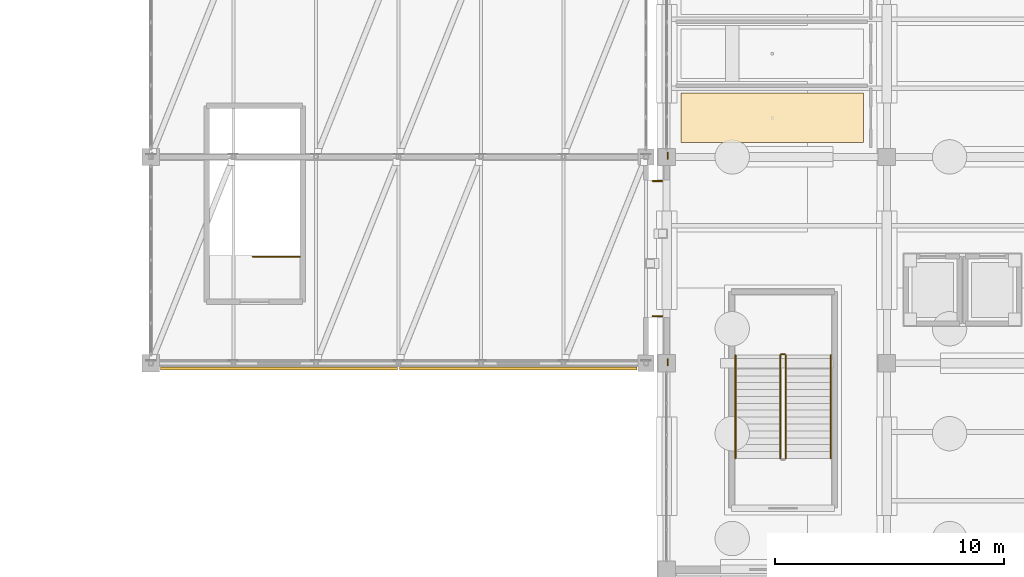
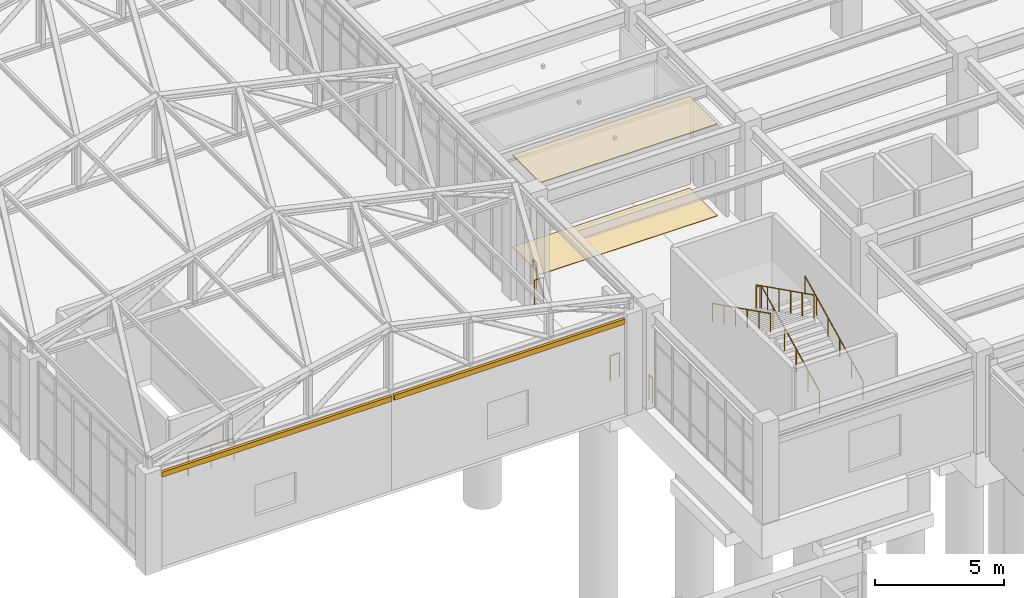
# One storey, part 130 of 139: 10 railings, 4 coverings.
"""IFC4 building model written with IfcOpenShell, lengths in metres."""

from ifc_helpers import new_model, si_unit, direction, frame, origin, origin_2d, place, context, subcontext, project, spatial, polyline, rectangle, circle, outline, extrude, material, layer, layer_set, type_object, element, save


model = new_model("IFC4")

# Units and contexts
model_context = context("Model", 3, precision=1e-05, world=origin(), true_north=direction((0.0, 1.0)))
body_context = subcontext(model_context, "Body", "Model", "MODEL_VIEW")
ifc_project = project(units=[si_unit("LENGTHUNIT", "METRE"), si_unit("AREAUNIT", "SQUARE_METRE"), si_unit("VOLUMEUNIT", "CUBIC_METRE"), si_unit("PLANEANGLEUNIT", "RADIAN"), si_unit("MASSUNIT", "GRAM", prefix="KILO")], contexts=[model_context])

# Site, building, storey
site_placement = place(None, origin())
site = spatial("IfcSite", under=ifc_project, at=site_placement, CompositionType="ELEMENT")
building_placement = place(site_placement, origin())
building = spatial("IfcBuilding", under=site, at=building_placement, Name="Canglan Escarpment Cableway Terminal", CompositionType="ELEMENT")
storey_placement = place(building_placement, frame((0.0, 0.0, 14.39990234375)))
storey = spatial("IfcBuildingStorey", under=building, at=storey_placement, Name="L03", CompositionType="ELEMENT", Elevation=14.39990234375)

# Coverings
ifc_material_1 = material(Name="Micro-perforated acoustic aluminium ceiling", Category="aluminium")
ifc_layer_1 = layer(ifc_material_1, 0.0400390625, Name="Micro-perforated acoustic aluminium ceiling")
ifc_layer_set_1 = layer_set([ifc_layer_1], Name="Micro-perforated acoustic aluminium ceiling")
covering_type_1 = type_object("IfcCoveringType", Name="COV-CEIL-ACOUSTIC-40", PredefinedType="CEILING", material=ifc_layer_set_1)
covering_1_placement = place(storey_placement, frame((0.0, 0.0, 4.340087890625)))
element("IfcCovering", 1, at=covering_1_placement, inside=storey, type_object=covering_type_1, Name="Accessible WC suspended acoustic ceiling", PredefinedType="CEILING", context=body_context, shape_type="SweptSolid", body=[
    extrude(outline(polyline([(138.239990234375, 52.6201171875), (138.238037109375, 52.6201171875), (138.236083984375, 52.620361328125), (138.234130859375, 52.620849609375), (138.232421875, 52.62158203125), (138.230712890625, 52.622314453125), (138.22900390625, 52.623291015625), (138.227294921875, 52.62451171875), (138.225830078125, 52.6259765625), (138.224609375, 52.627197265625), (138.223388671875, 52.62890625), (138.222412109375, 52.630615234375), (138.221435546875, 52.63232421875), (138.220947265625, 52.63427734375), (138.220458984375, 52.635986328125), (138.22021484375, 52.637939453125), (138.219970703125, 52.639892578125), (138.219970703125, 54.760009765625), (138.22021484375, 54.761962890625), (138.220458984375, 54.763916015625), (138.220947265625, 54.765869140625), (138.221435546875, 54.767578125), (138.222412109375, 54.769287109375), (138.223388671875, 54.77099609375), (138.224609375, 54.772705078125), (138.225830078125, 54.774169921875), (138.227294921875, 54.775390625), (138.22900390625, 54.776611328125), (138.230712890625, 54.777587890625), (138.232421875, 54.778564453125), (138.234130859375, 54.779052734375), (138.236083984375, 54.779541015625), (138.238037109375, 54.77978515625), (138.239990234375, 54.780029296875), (146.159912109375, 54.780029296875), (146.162109375, 54.77978515625), (146.163818359375, 54.779541015625), (146.165771484375, 54.779052734375), (146.167724609375, 54.778564453125), (146.16943359375, 54.777587890625), (146.171142578125, 54.776611328125), (146.172607421875, 54.775390625), (146.174072265625, 54.774169921875), (146.175537109375, 54.772705078125), (146.176513671875, 54.77099609375), (146.177490234375, 54.769287109375), (146.178466796875, 54.767578125), (146.17919921875, 54.765869140625), (146.1796875, 54.763916015625), (146.179931640625, 54.761962890625), (146.179931640625, 54.760009765625), (146.179931640625, 52.639892578125), (146.179931640625, 52.637939453125), (146.1796875, 52.635986328125), (146.17919921875, 52.63427734375), (146.178466796875, 52.63232421875), (146.177490234375, 52.630615234375), (146.176513671875, 52.62890625), (146.175537109375, 52.627197265625), (146.174072265625, 52.6259765625), (146.172607421875, 52.62451171875), (146.171142578125, 52.623291015625), (146.16943359375, 52.622314453125), (146.167724609375, 52.62158203125), (146.165771484375, 52.620849609375), (146.163818359375, 52.620361328125), (146.162109375, 52.6201171875), (146.159912109375, 52.6201171875), (138.239990234375, 52.6201171875)])), origin(), (0.0, 0.0, 1.0), 0.0400390625),
])
ifc_material_2 = material(Name="Carved classical limestone cornice", Category="masonry")
ifc_layer_2 = layer(ifc_material_2, 0.1201171875, Name="Carved classical limestone cornice")
ifc_layer_set_2 = layer_set([ifc_layer_2], Name="Carved classical limestone cornice")
covering_type_2 = type_object("IfcCoveringType", Name="COV-CORNICE-STONE", PredefinedType="CLADDING", material=ifc_layer_set_2)
covering_2_placement = place(storey_placement, frame((120.6875, 42.77001953125, 4.34033203125), z_axis=(0.0, 0.0, 1.0), x_axis=(1.0, 0.0, 0.0)))
element("IfcCovering", 2, at=covering_2_placement, inside=storey, type_object=covering_type_2, Name="Classical carved limestone cornice CL-01", PredefinedType="CLADDING", context=body_context, shape_type="SweptSolid", body=[
    extrude(rectangle(XDim=10.324951171875, YDim=0.1201171875, at=origin_2d()), origin(), (0.0, 0.0, 1.0), 0.239990234375),
])
covering_3_placement = place(storey_placement, frame((131.125, 42.77001953125, 4.34033203125), z_axis=(0.0, 0.0, 1.0), x_axis=(1.0, 0.0, 0.0)))
element("IfcCovering", 3, at=covering_3_placement, inside=storey, type_object=covering_type_2, Name="Classical carved limestone cornice CL-01", PredefinedType="CLADDING", context=body_context, shape_type="SweptSolid", body=[
    extrude(rectangle(XDim=10.35009765625, YDim=0.1201171875, at=origin_2d()), origin(), (0.0, 0.0, 1.0), 0.239990234375),
])
ifc_material_3 = material(Name="Polished mineral terrazzo flooring", Category="concrete")
ifc_layer_3 = layer(ifc_material_3, 0.02001953125, Name="Polished mineral terrazzo flooring")
ifc_layer_set_3 = layer_set([ifc_layer_3], Name="Polished mineral terrazzo flooring")
covering_type_3 = type_object("IfcCoveringType", Name="COV-FLR-TERRAZZO-20", PredefinedType="FLOORING", material=ifc_layer_set_3)
covering_4_placement = place(storey_placement, origin())
element("IfcCovering", 4, at=covering_4_placement, inside=storey, type_object=covering_type_3, Name="Accessible WC stone floor finish", PredefinedType="FLOORING", context=body_context, shape_type="SweptSolid", body=[
    extrude(outline(polyline([(138.239990234375, 52.6201171875), (138.238037109375, 52.6201171875), (138.236083984375, 52.620361328125), (138.234130859375, 52.620849609375), (138.232421875, 52.62158203125), (138.230712890625, 52.622314453125), (138.22900390625, 52.623291015625), (138.227294921875, 52.62451171875), (138.225830078125, 52.6259765625), (138.224609375, 52.627197265625), (138.223388671875, 52.62890625), (138.222412109375, 52.630615234375), (138.221435546875, 52.63232421875), (138.220947265625, 52.63427734375), (138.220458984375, 52.635986328125), (138.22021484375, 52.637939453125), (138.219970703125, 52.639892578125), (138.219970703125, 54.760009765625), (138.22021484375, 54.761962890625), (138.220458984375, 54.763916015625), (138.220947265625, 54.765869140625), (138.221435546875, 54.767578125), (138.222412109375, 54.769287109375), (138.223388671875, 54.77099609375), (138.224609375, 54.772705078125), (138.225830078125, 54.774169921875), (138.227294921875, 54.775390625), (138.22900390625, 54.776611328125), (138.230712890625, 54.777587890625), (138.232421875, 54.778564453125), (138.234130859375, 54.779052734375), (138.236083984375, 54.779541015625), (138.238037109375, 54.77978515625), (138.239990234375, 54.780029296875), (146.159912109375, 54.780029296875), (146.162109375, 54.77978515625), (146.163818359375, 54.779541015625), (146.165771484375, 54.779052734375), (146.167724609375, 54.778564453125), (146.16943359375, 54.777587890625), (146.171142578125, 54.776611328125), (146.172607421875, 54.775390625), (146.174072265625, 54.774169921875), (146.175537109375, 54.772705078125), (146.176513671875, 54.77099609375), (146.177490234375, 54.769287109375), (146.178466796875, 54.767578125), (146.17919921875, 54.765869140625), (146.1796875, 54.763916015625), (146.179931640625, 54.761962890625), (146.179931640625, 54.760009765625), (146.179931640625, 52.639892578125), (146.179931640625, 52.637939453125), (146.1796875, 52.635986328125), (146.17919921875, 52.63427734375), (146.178466796875, 52.63232421875), (146.177490234375, 52.630615234375), (146.176513671875, 52.62890625), (146.175537109375, 52.627197265625), (146.174072265625, 52.6259765625), (146.172607421875, 52.62451171875), (146.171142578125, 52.623291015625), (146.16943359375, 52.622314453125), (146.167724609375, 52.62158203125), (146.165771484375, 52.620849609375), (146.163818359375, 52.620361328125), (146.162109375, 52.6201171875), (146.159912109375, 52.6201171875), (138.239990234375, 52.6201171875)])), origin(), (0.0, 0.0, 1.0), 0.02001953125),
])

# Railings
ifc_material_4 = material(Name="Carved limestone and anodized bronze balustrade", Category="masonry")
railing_type_1 = type_object("IfcRailingType", Name="RL-EXT-BALUSTRADE-1200", PredefinedType="BALUSTRADE", material=ifc_material_4)
railing_1_placement = place(storey_placement, frame((137.64990234375, 42.9150390625, 0.0)))
element("IfcRailing", 5, at=railing_1_placement, inside=storey, type_object=railing_type_1, Name="Classical terrace balustrade guard GD-01 (L03)", PredefinedType="BALUSTRADE", context=body_context, shape_type="SweptSolid", body=[
    extrude(circle(Radius=0.02392578125, at=origin_2d()), frame((0.0, 0.0, 1.17578125), z_axis=(0.0, 1.0, 0.0), x_axis=(-1.0, 0.0, 0.0)), (0.0, 0.0, 1.0), 0.27001953125),
    extrude(circle(Radius=0.02099609375, at=origin_2d()), origin(), (0.0, 0.0, 1.0), 1.15185546875),
    extrude(circle(Radius=0.02099609375, at=origin_2d()), frame((0.0, 0.27001953125, 0.0)), (0.0, 0.0, 1.0), 1.15185546875),
])
railing_2_placement = place(storey_placement, frame((137.409912109375, 45.050048828125, 0.0)))
element("IfcRailing", 6, at=railing_2_placement, inside=storey, type_object=railing_type_1, Name="Classical terrace balustrade guard GD-01 (L03)", PredefinedType="BALUSTRADE", context=body_context, shape_type="SweptSolid", body=[
    extrude(circle(Radius=0.02392578125, at=origin_2d()), frame((0.0, 0.0, 1.17578125), z_axis=(-1.0, 0.0, 0.0), x_axis=(0.0, -1.0, 0.0)), (0.0, 0.0, 1.0), 0.419921875),
    extrude(circle(Radius=0.02099609375, at=origin_2d()), origin(), (0.0, 0.0, 1.0), 1.15185546875),
    extrude(circle(Radius=0.02099609375, at=origin_2d()), frame((-0.419921875, 0.0, 0.0)), (0.0, 0.0, 1.0), 1.15185546875),
])
railing_3_placement = place(storey_placement, frame((136.989990234375, 50.949951171875, 0.0)))
element("IfcRailing", 7, at=railing_3_placement, inside=storey, type_object=railing_type_1, Name="Classical terrace balustrade guard GD-01 (L03)", PredefinedType="BALUSTRADE", context=body_context, shape_type="SweptSolid", body=[
    extrude(circle(Radius=0.02392578125, at=origin_2d()), frame((0.0, 0.0, 1.17578125), z_axis=(1.0, 0.0, 0.0), x_axis=(0.0, 1.0, 0.0)), (0.0, 0.0, 1.0), 0.419921875),
    extrude(circle(Radius=0.02099609375, at=origin_2d()), origin(), (0.0, 0.0, 1.0), 1.15185546875),
    extrude(circle(Radius=0.02099609375, at=origin_2d()), frame((0.419921875, 0.0, 0.0)), (0.0, 0.0, 1.0), 1.15185546875),
])
railing_4_placement = place(storey_placement, frame((137.64990234375, 51.9150390625, 0.0)))
element("IfcRailing", 8, at=railing_4_placement, inside=storey, type_object=railing_type_1, Name="Classical terrace balustrade guard GD-01 (L03)", PredefinedType="BALUSTRADE", context=body_context, shape_type="SweptSolid", body=[
    extrude(circle(Radius=0.02392578125, at=origin_2d()), frame((0.0, 0.0, 1.17578125), z_axis=(0.0, 1.0, 0.0), x_axis=(-1.0, 0.0, 0.0)), (0.0, 0.0, 1.0), 0.27001953125),
    extrude(circle(Radius=0.02099609375, at=origin_2d()), origin(), (0.0, 0.0, 1.0), 1.15185546875),
    extrude(circle(Radius=0.02099609375, at=origin_2d()), frame((0.0, 0.27001953125, 0.0)), (0.0, 0.0, 1.0), 1.15185546875),
])
ifc_material_5 = material(Name="Powder-coated steel stair balustrade", Category="steel")
railing_type_2 = type_object("IfcRailingType", Name="RL-STR-GUARD-1100", PredefinedType="BALUSTRADE", material=ifc_material_5)
railing_5_placement = place(storey_placement, frame((121.60009765625, 47.64990234375, 0.0)))
element("IfcRailing", 9, at=railing_5_placement, inside=storey, type_object=railing_type_2, Name="L03 ST-10 top well guard 1", PredefinedType="BALUSTRADE", context=body_context, shape_type="SweptSolid", body=[
    extrude(circle(Radius=0.02392578125, at=origin_2d()), frame((0.0, 0.0, 1.076171875), z_axis=(-1.0, 0.0, 0.0), x_axis=(0.0, -1.0, 0.0)), (0.0, 0.0, 1.0), 2.050048828125),
    extrude(circle(Radius=0.02099609375, at=origin_2d()), origin(), (0.0, 0.0, 1.0), 1.052001953125),
    extrude(circle(Radius=0.02099609375, at=origin_2d()), frame((-1.02490234375, 0.0, 0.0)), (0.0, 0.0, 1.0), 1.052001953125),
    extrude(circle(Radius=0.02099609375, at=origin_2d()), frame((-2.050048828125, 0.0, 0.0)), (0.0, 0.0, 1.0), 1.052001953125),
])
railing_6_placement = place(storey_placement, frame((142.800048828125, 38.85009765625, 0.150146484375)))
element("IfcRailing", 10, at=railing_6_placement, inside=storey, type_object=railing_type_2, Name="L03 ST-13 stair guard 1", PredefinedType="BALUSTRADE", context=body_context, shape_type="SweptSolid", body=[
    extrude(circle(Radius=0.02392578125, at=origin_2d()), frame((0.0, 0.0, 1.076171875), z_axis=(0.0, 0.894427191, 0.4472135955), x_axis=(-1.0, 0.0, 0.0)), (0.0, 0.0, 1.0), 5.03125),
    extrude(circle(Radius=0.02099609375, at=origin_2d()), origin(), (0.0, 0.0, 1.0), 1.052001953125),
    extrude(circle(Radius=0.02099609375, at=origin_2d()), frame((0.0, 0.89990234375, 0.449951171875)), (0.0, 0.0, 1.0), 1.052001953125),
    extrude(circle(Radius=0.02099609375, at=origin_2d()), frame((0.0, 1.800048828125, 0.89990234375)), (0.0, 0.0, 1.0), 1.052001953125),
    extrude(circle(Radius=0.02099609375, at=origin_2d()), frame((0.0, 2.699951171875, 1.35009765625)), (0.0, 0.0, 1.0), 1.052001953125),
    extrude(circle(Radius=0.02099609375, at=origin_2d()), frame((0.0, 3.60009765625, 1.800048828125)), (0.0, 0.0, 1.0), 1.052001953125),
    extrude(circle(Radius=0.02099609375, at=origin_2d()), frame((0.0, 4.5, 2.25)), (0.0, 0.0, 1.0), 1.052001953125),
])
railing_7_placement = place(storey_placement, frame((142.75, 43.39990234375, 2.400146484375)))
element("IfcRailing", 11, at=railing_7_placement, inside=storey, type_object=railing_type_2, Name="L03 ST-13 stair guard 2", PredefinedType="BALUSTRADE", context=body_context, shape_type="SweptSolid", body=[
    extrude(circle(Radius=0.02392578125, at=origin_2d()), frame((0.0, 0.0, 1.076171875), z_axis=(-1.0, 0.0, 0.0), x_axis=(0.0, -1.0, 0.0)), (0.0, 0.0, 1.0), 0.14990234375),
    extrude(circle(Radius=0.02099609375, at=origin_2d()), origin(), (0.0, 0.0, 1.0), 1.052001953125),
    extrude(circle(Radius=0.02099609375, at=origin_2d()), frame((-0.14990234375, 0.0, 0.0)), (0.0, 0.0, 1.0), 1.052001953125),
])
railing_8_placement = place(storey_placement, frame((142.550048828125, 43.35009765625, 2.550048828125)))
element("IfcRailing", 12, at=railing_8_placement, inside=storey, type_object=railing_type_2, Name="L03 ST-13 stair guard 3", PredefinedType="BALUSTRADE", context=body_context, shape_type="SweptSolid", body=[
    extrude(circle(Radius=0.02392578125, at=origin_2d()), frame((0.0, 0.0, 1.076171875), z_axis=(0.0, -0.894427191, 0.4472135955), x_axis=(1.0, 0.0, 0.0)), (0.0, 0.0, 1.0), 5.03125),
    extrude(circle(Radius=0.02099609375, at=origin_2d()), origin(), (0.0, 0.0, 1.0), 1.052001953125),
    extrude(circle(Radius=0.02099609375, at=origin_2d()), frame((0.0, -0.89990234375, 0.449951171875)), (0.0, 0.0, 1.0), 1.052001953125),
    extrude(circle(Radius=0.02099609375, at=origin_2d()), frame((0.0, -1.800048828125, 0.89990234375)), (0.0, 0.0, 1.0), 1.052001953125),
    extrude(circle(Radius=0.02099609375, at=origin_2d()), frame((0.0, -2.699951171875, 1.35009765625)), (0.0, 0.0, 1.0), 1.052001953125),
    extrude(circle(Radius=0.02099609375, at=origin_2d()), frame((0.0, -3.60009765625, 1.800048828125)), (0.0, 0.0, 1.0), 1.052001953125),
    extrude(circle(Radius=0.02099609375, at=origin_2d()), frame((0.0, -4.5, 2.25)), (0.0, 0.0, 1.0), 1.052001953125),
])
ifc_material_6 = material(Name="Brushed stainless steel 304 handrail", Category="steel")
railing_type_3 = type_object("IfcRailingType", Name="RL-STR-HR-900", PredefinedType="HANDRAIL", material=ifc_material_6)
railing_9_placement = place(storey_placement, frame((144.75, 38.85009765625, 0.150146484375)))
element("IfcRailing", 13, at=railing_9_placement, inside=storey, type_object=railing_type_3, Name="L03 ST-13 stair handrail 1", PredefinedType="HANDRAIL", context=body_context, shape_type="SweptSolid", body=[
    extrude(circle(Radius=0.02392578125, at=origin_2d()), frame((0.0, 0.0, 0.8759765625), z_axis=(0.0, 0.894427191, 0.4472135955), x_axis=(-1.0, 0.0, 0.0)), (0.0, 0.0, 1.0), 5.03125),
    extrude(circle(Radius=0.02099609375, at=origin_2d()), origin(), (0.0, 0.0, 1.0), 0.851806640625),
    extrude(circle(Radius=0.02099609375, at=origin_2d()), frame((0.0, 0.89990234375, 0.449951171875)), (0.0, 0.0, 1.0), 0.851806640625),
    extrude(circle(Radius=0.02099609375, at=origin_2d()), frame((0.0, 1.800048828125, 0.89990234375)), (0.0, 0.0, 1.0), 0.851806640625),
    extrude(circle(Radius=0.02099609375, at=origin_2d()), frame((0.0, 2.699951171875, 1.35009765625)), (0.0, 0.0, 1.0), 0.851806640625),
    extrude(circle(Radius=0.02099609375, at=origin_2d()), frame((0.0, 3.60009765625, 1.800048828125)), (0.0, 0.0, 1.0), 0.851806640625),
    extrude(circle(Radius=0.02099609375, at=origin_2d()), frame((0.0, 4.5, 2.25)), (0.0, 0.0, 1.0), 0.851806640625),
])
railing_10_placement = place(storey_placement, frame((140.60009765625, 43.35009765625, 2.550048828125)))
element("IfcRailing", 14, at=railing_10_placement, inside=storey, type_object=railing_type_3, Name="L03 ST-13 stair handrail 2", PredefinedType="HANDRAIL", context=body_context, shape_type="SweptSolid", body=[
    extrude(circle(Radius=0.02392578125, at=origin_2d()), frame((0.0, 0.0, 0.8759765625), z_axis=(0.0, -0.894427191, 0.4472135955), x_axis=(1.0, 0.0, 0.0)), (0.0, 0.0, 1.0), 5.03125),
    extrude(circle(Radius=0.02099609375, at=origin_2d()), origin(), (0.0, 0.0, 1.0), 0.851806640625),
    extrude(circle(Radius=0.02099609375, at=origin_2d()), frame((0.0, -0.89990234375, 0.449951171875)), (0.0, 0.0, 1.0), 0.851806640625),
    extrude(circle(Radius=0.02099609375, at=origin_2d()), frame((0.0, -1.800048828125, 0.89990234375)), (0.0, 0.0, 1.0), 0.851806640625),
    extrude(circle(Radius=0.02099609375, at=origin_2d()), frame((0.0, -2.699951171875, 1.35009765625)), (0.0, 0.0, 1.0), 0.851806640625),
    extrude(circle(Radius=0.02099609375, at=origin_2d()), frame((0.0, -3.60009765625, 1.800048828125)), (0.0, 0.0, 1.0), 0.851806640625),
    extrude(circle(Radius=0.02099609375, at=origin_2d()), frame((0.0, -4.5, 2.25)), (0.0, 0.0, 1.0), 0.851806640625),
])

save(model, "model.ifc")
